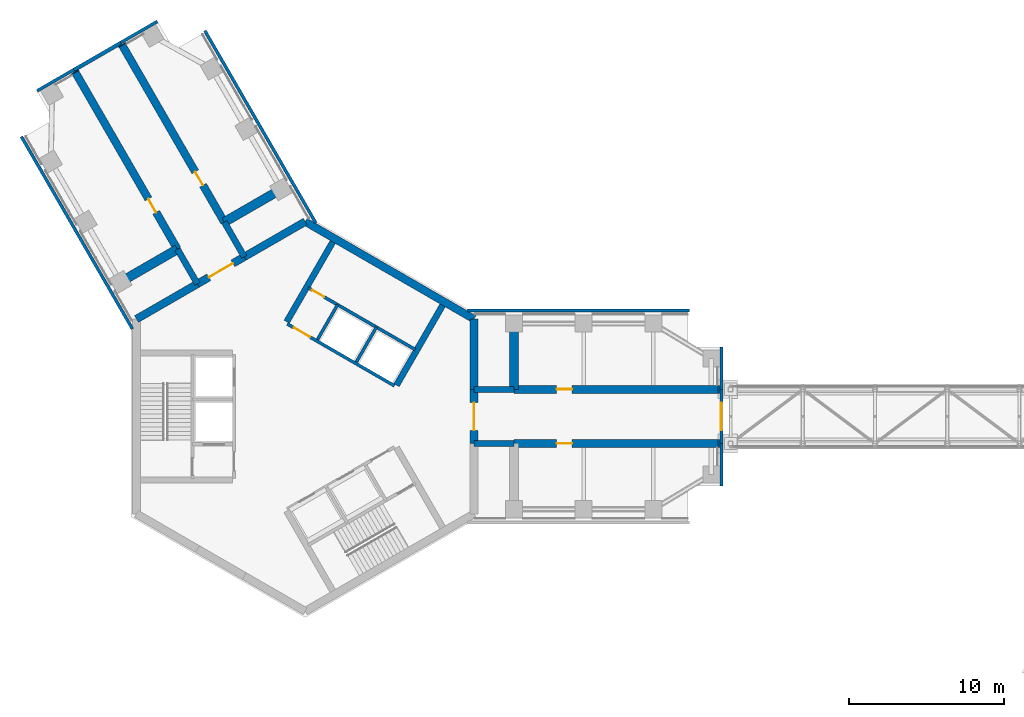
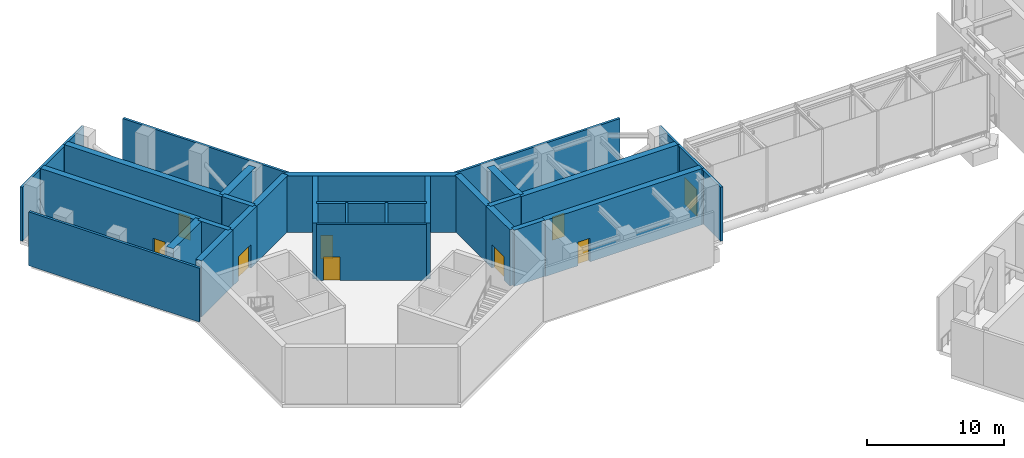
# One storey, part 9 of 15: 36 walls, 9 doors, 9 openings.
"""IFC4 building model written with IfcOpenShell, lengths in metres."""

from ifc_helpers import new_model, si_unit, direction, frame, frame_2d, origin, place, context, subcontext, project, spatial, rectangle, extrude, material, layer, layer_set, type_object, element, fill, save


model = new_model("IFC4")

# Units and contexts
model_context = context("Model", 3, precision=1e-05, world=origin(), true_north=direction((0.0, 1.0)))
body_context = subcontext(model_context, "Body", "Model", "MODEL_VIEW")
ifc_project = project(units=[si_unit("LENGTHUNIT", "METRE"), si_unit("AREAUNIT", "SQUARE_METRE"), si_unit("VOLUMEUNIT", "CUBIC_METRE"), si_unit("PLANEANGLEUNIT", "RADIAN"), si_unit("MASSUNIT", "GRAM", prefix="KILO")], contexts=[model_context])

# Site, building, storey
site_placement = place(None, origin())
site = spatial("IfcSite", under=ifc_project, at=site_placement, CompositionType="ELEMENT")
building_placement = place(site_placement, origin())
building = spatial("IfcBuilding", under=site, at=building_placement, Name="Upepo Twin Towers", CompositionType="ELEMENT")
storey_placement = place(building_placement, frame((0.0, 0.0, 238.5)))
storey = spatial("IfcBuildingStorey", under=building, at=storey_placement, Name="L58", CompositionType="ELEMENT", Elevation=238.5)

# Walls
ifc_material_1 = material(Name="Precast concrete breeze blocks", Category="concrete")
ifc_layer_1 = layer(ifc_material_1, 0.199951171875)
ifc_layer_set_1 = layer_set([ifc_layer_1], Name="Breeze-block screen wall 200")
wall_type_1 = type_object("IfcWallType", Name="Breeze-block screen wall 200", PredefinedType="USERDEFINED", material=ifc_layer_set_1)
wall_1_placement = place(storey_placement, frame((10.487060546875, 6.85009765625, 0.0), z_axis=(0.0, 0.0, 1.0), x_axis=(1.0, 0.0, 0.0)))
element("IfcWall", 1, at=wall_1_placement, inside=storey, type_object=wall_type_1, Name="T1 L58 wing A screen L", ObjectType="SCREEN", PredefinedType="USERDEFINED", context=body_context, shape_type="SweptSolid", body=[
    extrude(rectangle(XDim=14.363037109375, YDim=0.199951171875, at=frame_2d((7.181640625, 0.0))), origin(), (0.0, 0.0, 1.0), 4.800048828125),
])
for number, where, z_axis, x_axis, name in (
    (2, (26.89990234375, -4.5, 0.0), (0.0, 0.0, 1.0), (0.0, 1.0, 0.0), "T1 L58 wing A nose screen 0"),
    (3, (26.89990234375, 1.75, 0.0), (0.0, 0.0, 1.0), (0.0, 1.0, 0.0), "T1 L58 wing A nose screen 2"),
):
    element("IfcWall", number, at=place(storey_placement, frame(where, z_axis=z_axis, x_axis=x_axis)), inside=storey, type_object=wall_type_1, Name=name, ObjectType="SCREEN", PredefinedType="USERDEFINED", context=body_context, shape_type="SweptSolid", body=[
        extrude(rectangle(XDim=2.75, YDim=0.199951171875, at=frame_2d((1.375, 0.0))), origin(), (0.0, 0.0, 1.0), 4.800048828125),
    ])
wall_2_placement = place(storey_placement, frame((-11.17578125, 5.6572265625, 0.0), z_axis=(0.0, 0.0, 1.0), x_axis=(-0.500002020472, 0.866024237261, 0.0)))
element("IfcWall", 4, at=wall_2_placement, inside=storey, type_object=wall_type_1, Name="T1 L58 wing B screen L", ObjectType="SCREEN", PredefinedType="USERDEFINED", context=body_context, shape_type="SweptSolid", body=[
    extrude(rectangle(XDim=14.36279296875, YDim=0.199951171875, at=frame_2d((7.181396484375, 0.0))), origin(), (0.0, 0.0, 1.0), 4.800048828125),
])
wall_3_placement = place(storey_placement, frame((-6.49267578125, 24.94580078125, 0.0), z_axis=(0.0, 0.0, 1.0), x_axis=(0.499994660107, -0.866028486751, 0.0)))
element("IfcWall", 5, at=wall_3_placement, inside=storey, type_object=wall_type_1, Name="T1 L58 wing B screen R", ObjectType="SCREEN", PredefinedType="USERDEFINED", context=body_context, shape_type="SweptSolid", body=[
    extrude(rectangle(XDim=14.363037109375, YDim=0.199951171875, at=frame_2d((7.181640625, 0.0))), origin(), (0.0, 0.0, 1.0), 4.800048828125),
])
for number, where, z_axis, x_axis, name in (
    (6, (-9.552978515625, 25.546142578125, 0.0), (0.0, 0.0, 1.0), (-0.866027397988, -0.499996545922, 0.0), "T1 L58 wing B nose screen 0"),
    (7, (-14.965576171875, 22.421142578125, 0.0), (0.0, 0.0, 1.0), (-0.866027397988, -0.499996545922, 0.0), "T1 L58 wing B nose screen 2"),
):
    element("IfcWall", number, at=place(storey_placement, frame(where, z_axis=z_axis, x_axis=x_axis)), inside=storey, type_object=wall_type_1, Name=name, ObjectType="SCREEN", PredefinedType="USERDEFINED", context=body_context, shape_type="SweptSolid", body=[
        extrude(rectangle(XDim=2.75, YDim=0.199951171875, at=frame_2d((1.375, 0.0))), origin(), (0.0, 0.0, 1.0), 4.800048828125),
    ])
ifc_material_2 = material(Name="Dense concrete blockwork", Category="masonry")
ifc_layer_2 = layer(ifc_material_2, 0.5)
ifc_layer_set_2 = layer_set([ifc_layer_2], Name="Buttress closer 500, blockwork with fire-stopping to the curtain wall")
wall_type_2 = type_object("IfcWallType", Name="Buttress closer 500, blockwork with fire-stopping to the curtain wall", PredefinedType="PARTITIONING", material=ifc_layer_set_2)
for number, where, z_axis, x_axis, name in (
    (8, (26.699951171875, 1.75, 0.0), (0.0, 0.0, 1.0), (1.0, 0.0, 0.0), "T1 L58 wing A buttress closer L"),
    (9, (26.699951171875, -1.75, 0.0), (0.0, 0.0, 1.0), (1.0, 0.0, 0.0), "T1 L58 wing A buttress closer R"),
):
    element("IfcWall", number, at=place(storey_placement, frame(where, z_axis=z_axis, x_axis=x_axis)), inside=storey, type_object=wall_type_2, Name=name, PredefinedType="PARTITIONING", context=body_context, shape_type="SweptSolid", body=[
        extrude(rectangle(XDim=0.10009765625, YDim=0.5, at=frame_2d((0.050048828125, 0.0))), origin(), (0.0, 0.0, 1.0), 4.800048828125),
    ])
wall_4_placement = place(storey_placement, frame((-14.865478515625, 22.247802734375, 0.0), z_axis=(0.0, 0.0, 1.0), x_axis=(-0.500844580232, 0.86553723574, 0.0)))
element("IfcWall", 10, at=wall_4_placement, inside=storey, type_object=wall_type_2, Name="T1 L58 wing B buttress closer L", PredefinedType="PARTITIONING", context=body_context, shape_type="SweptSolid", body=[
    extrude(rectangle(XDim=0.05029296875, YDim=0.5, at=frame_2d((0.025146484375, 0.0))), origin(), (0.0, 0.0, 1.0), 4.800048828125),
])
wall_5_placement = place(storey_placement, frame((-11.83447265625, 23.997802734375, 0.0), z_axis=(0.0, 0.0, 1.0), x_axis=(-0.497188445666, 0.867642581652, 0.0)))
element("IfcWall", 11, at=wall_5_placement, inside=storey, type_object=wall_type_2, Name="T1 L58 wing B buttress closer R", PredefinedType="PARTITIONING", context=body_context, shape_type="SweptSolid", body=[
    extrude(rectangle(XDim=0.050048828125, YDim=0.5, at=frame_2d((0.02490234375, 0.0))), origin(), (0.0, 0.0, 1.0), 4.800048828125),
])
ifc_material_3 = material(Name="Concrete C60/75", Category="concrete")
ifc_layer_3 = layer(ifc_material_3, 0.39990234375)
ifc_layer_set_3 = layer_set([ifc_layer_3], Name="Concrete C60/75")
wall_type_3 = type_object("IfcWallType", Name="Buttress wall 400 RC", PredefinedType="SHEAR", material=ifc_layer_set_3)
for number, where, z_axis, x_axis, name in (
    (12, (10.908447265625, 1.75, 0.0), (0.0, 0.0, 1.0), (1.0, 0.0, 0.0), "T1 wing A buttress wall L"),
    (13, (10.908447265625, -1.75, 0.0), (0.0, 0.0, 1.0), (1.0, 0.0, 0.0), "T1 wing A buttress wall R"),
):
    element("IfcWall", number, at=place(storey_placement, frame(where, z_axis=z_axis, x_axis=x_axis)), inside=storey, type_object=wall_type_3, Name=name, PredefinedType="SHEAR", context=body_context, shape_type="SweptSolid", body=[
        extrude(rectangle(XDim=2.591552734375, YDim=0.39990234375, at=frame_2d((1.2958984375, 0.0))), origin(), (0.0, 0.0, 1.0), 5.0),
    ])
for number, where, z_axis, x_axis, name in (
    (14, (-6.9697265625, 8.57177734375, 0.0), (0.0, 0.0, 1.0), (-0.499988811324, 0.866031863473, 0.0), "T1 wing B buttress wall L"),
    (15, (-3.938720703125, 10.32177734375, 0.0), (0.0, 0.0, 1.0), (-0.499918158782, 0.866072649678, 0.0), "T1 wing B buttress wall R"),
):
    element("IfcWall", number, at=place(storey_placement, frame(where, z_axis=z_axis, x_axis=x_axis)), inside=storey, type_object=wall_type_3, Name=name, PredefinedType="SHEAR", context=body_context, shape_type="SweptSolid", body=[
        extrude(rectangle(XDim=2.591796875, YDim=0.39990234375, at=frame_2d((1.2958984375, 0.0))), origin(), (0.0, 0.0, 1.0), 5.0),
    ])

# Wall, opening, door
ifc_material_4 = material(Name="Concrete C60/75", Category="concrete")
ifc_layer_4 = layer(ifc_material_4, 0.5)
ifc_layer_set_4 = layer_set([ifc_layer_4], Name="Concrete C60/75")
wall_type_4 = type_object("IfcWallType", Name="Buttress wall 500 RC", PredefinedType="SHEAR", material=ifc_layer_set_4)
wall_6_placement = place(storey_placement, frame((13.5, 1.75, 0.0), z_axis=(0.0, 0.0, 1.0), x_axis=(1.0, 0.0, 0.0)))
wall_6 = element("IfcWall", 16, at=wall_6_placement, inside=storey, type_object=wall_type_4, Name="T1 wing A buttress wall L part 2", PredefinedType="SHEAR", context=body_context, shape_type="SweptSolid", body=[
    extrude(rectangle(XDim=13.199951171875, YDim=0.5, at=frame_2d((6.60009765625, 0.0))), origin(), (0.0, 0.0, 1.0), 5.0),
])
opening_1_placement = place(wall_6_placement, frame((2.75, 0.0, 0.0)))
opening_1 = element("IfcOpeningElement", 17, at=opening_1_placement, cuts=wall_6, Name="Opening D1", PredefinedType="OPENING", context=body_context, shape_type="SweptSolid", body=[
    extrude(rectangle(XDim=1.0, YDim=2.10009765625, at=frame_2d((0.5, 1.050048828125))), frame((0.0, 0.260009765625, 0.0), z_axis=(0.0, -1.0, 0.0), x_axis=(1.0, 0.0, 0.0)), (0.0, 0.0, 1.0), 0.52001953125),
])
ifc_material_5 = material(Name="Timber doorset", Category="wood")
door_type_1 = type_object("IfcDoorType", Name="Room door 1000 FD30", OperationType="SINGLE_SWING_LEFT", PredefinedType="DOOR", material=ifc_material_5)
door_1_placement = place(opening_1_placement, origin())
door_1 = element("IfcDoor", 18, at=door_1_placement, inside=storey, type_object=door_type_1, Name="T1 L58 refuge area door", OperationType="SINGLE_SWING_LEFT", OverallHeight=2.10009765625, OverallWidth=1.0, PredefinedType="DOOR", context=body_context, shape_type="SweptSolid", body=[
    extrude(rectangle(XDim=1.0, YDim=2.10009765625, at=frame_2d((0.5, 1.050048828125))), frame((0.0, 0.02490234375, 0.0), z_axis=(0.0, -1.0, 0.0), x_axis=(1.0, 0.0, 0.0)), (0.0, 0.0, 1.0), 0.050048828125),
])
fill(opening_1, door_1)

wall_7_placement = place(storey_placement, frame((13.5, -1.75, 0.0), z_axis=(0.0, 0.0, 1.0), x_axis=(1.0, 0.0, 0.0)))
wall_7 = element("IfcWall", 19, at=wall_7_placement, inside=storey, type_object=wall_type_4, Name="T1 wing A buttress wall R part 2", PredefinedType="SHEAR", context=body_context, shape_type="SweptSolid", body=[
    extrude(rectangle(XDim=13.199951171875, YDim=0.5, at=frame_2d((6.60009765625, 0.0))), origin(), (0.0, 0.0, 1.0), 5.0),
])
opening_2_placement = place(wall_7_placement, frame((2.75, 0.0, 0.0)))
opening_2 = element("IfcOpeningElement", 20, at=opening_2_placement, cuts=wall_7, Name="Opening D1", PredefinedType="OPENING", context=body_context, shape_type="SweptSolid", body=[
    extrude(rectangle(XDim=1.0, YDim=2.10009765625, at=frame_2d((0.5, 1.050048828125))), frame((0.0, 0.260009765625, 0.0), z_axis=(0.0, -1.0, 0.0), x_axis=(1.0, 0.0, 0.0)), (0.0, 0.0, 1.0), 0.52001953125),
])
door_2_placement = place(opening_2_placement, origin())
door_2 = element("IfcDoor", 21, at=door_2_placement, inside=storey, type_object=door_type_1, Name="T1 L58 air-handling plant room door", OperationType="SINGLE_SWING_LEFT", OverallHeight=2.10009765625, OverallWidth=1.0, PredefinedType="DOOR", context=body_context, shape_type="SweptSolid", body=[
    extrude(rectangle(XDim=1.0, YDim=2.10009765625, at=frame_2d((0.5, 1.050048828125))), frame((0.0, 0.02490234375, 0.0), z_axis=(0.0, -1.0, 0.0), x_axis=(1.0, 0.0, 0.0)), (0.0, 0.0, 1.0), 0.050048828125),
])
fill(opening_2, door_2)

wall_8_placement = place(storey_placement, frame((-8.265625, 10.81640625, 0.0), z_axis=(0.0, 0.0, 1.0), x_axis=(-0.499996231654, 0.866027579429, 0.0)))
wall_8 = element("IfcWall", 22, at=wall_8_placement, inside=storey, type_object=wall_type_4, Name="T1 wing B buttress wall L part 2", PredefinedType="SHEAR", context=body_context, shape_type="SweptSolid", body=[
    extrude(rectangle(XDim=13.19970703125, YDim=0.5, at=frame_2d((6.599853515625, 0.0))), origin(), (0.0, 0.0, 1.0), 5.0),
])
opening_3_placement = place(wall_8_placement, frame((2.75, 0.0, 0.0)))
opening_3 = element("IfcOpeningElement", 23, at=opening_3_placement, cuts=wall_8, Name="Opening D1", PredefinedType="OPENING", context=body_context, shape_type="SweptSolid", body=[
    extrude(rectangle(XDim=1.0, YDim=2.10009765625, at=frame_2d((0.5, 1.050048828125))), frame((0.0, 0.260009765625, 0.0), z_axis=(0.0, -1.0, 0.0), x_axis=(1.0, 0.0, 0.0)), (0.0, 0.0, 1.0), 0.52001953125),
])
door_3_placement = place(opening_3_placement, origin())
door_3 = element("IfcDoor", 24, at=door_3_placement, inside=storey, type_object=door_type_1, Name="T1 L58 refuge area door", OperationType="SINGLE_SWING_LEFT", OverallHeight=2.10009765625, OverallWidth=1.0, PredefinedType="DOOR", context=body_context, shape_type="SweptSolid", body=[
    extrude(rectangle(XDim=1.0, YDim=2.10009765625, at=frame_2d((0.5, 1.050048828125))), frame((0.0, 0.02490234375, 0.0), z_axis=(0.0, -1.0, 0.0), x_axis=(1.0, 0.0, 0.0)), (0.0, 0.0, 1.0), 0.050048828125),
])
fill(opening_3, door_3)

wall_9_placement = place(storey_placement, frame((-5.234375, 12.56640625, 0.0), z_axis=(0.0, 0.0, 1.0), x_axis=(-0.500010103361, 0.866019570528, 0.0)))
wall_9 = element("IfcWall", 25, at=wall_9_placement, inside=storey, type_object=wall_type_4, Name="T1 wing B buttress wall R part 2", PredefinedType="SHEAR", context=body_context, shape_type="SweptSolid", body=[
    extrude(rectangle(XDim=13.199951171875, YDim=0.5, at=frame_2d((6.60009765625, 0.0))), origin(), (0.0, 0.0, 1.0), 5.0),
])
opening_4_placement = place(wall_9_placement, frame((2.75, 0.0, 0.0)))
opening_4 = element("IfcOpeningElement", 26, at=opening_4_placement, cuts=wall_9, Name="Opening D1", PredefinedType="OPENING", context=body_context, shape_type="SweptSolid", body=[
    extrude(rectangle(XDim=1.0, YDim=2.10009765625, at=frame_2d((0.5, 1.050048828125))), frame((0.0, 0.260009765625, 0.0), z_axis=(0.0, -1.0, 0.0), x_axis=(1.0, 0.0, 0.0)), (0.0, 0.0, 1.0), 0.52001953125),
])
door_4_placement = place(opening_4_placement, origin())
door_4 = element("IfcDoor", 27, at=door_4_placement, inside=storey, type_object=door_type_1, Name="T1 L58 booster pump plant room door", OperationType="SINGLE_SWING_LEFT", OverallHeight=2.10009765625, OverallWidth=1.0, PredefinedType="DOOR", context=body_context, shape_type="SweptSolid", body=[
    extrude(rectangle(XDim=1.0, YDim=2.10009765625, at=frame_2d((0.5, 1.050048828125))), frame((0.0, 0.02490234375, 0.0), z_axis=(0.0, -1.0, 0.0), x_axis=(1.0, 0.0, 0.0)), (0.0, 0.0, 1.0), 0.050048828125),
])
fill(opening_4, door_4)

ifc_material_6 = material(Name="Concrete C60/75", Category="concrete")
ifc_layer_5 = layer(ifc_material_6, 0.5)
ifc_layer_set_5 = layer_set([ifc_layer_5], Name="Concrete C60/75")
wall_type_5 = type_object("IfcWallType", Name="Core wall 500 RC", PredefinedType="SHEAR", material=ifc_layer_set_5)
wall_10_placement = place(storey_placement, frame((10.908447265625, -1.75, 0.0), z_axis=(0.0, 0.0, 1.0), x_axis=(0.0, 1.0, 0.0)))
wall_10 = element("IfcWall", 28, at=wall_10_placement, inside=storey, type_object=wall_type_5, Name="T1 core wall 000", PredefinedType="SHEAR", context=body_context, shape_type="SweptSolid", body=[
    extrude(rectangle(XDim=3.5, YDim=0.5, at=frame_2d((1.75, 0.0))), origin(), (0.0, 0.0, 1.0), 5.0),
])
opening_5_placement = place(wall_10_placement, frame((0.85009765625, 0.0, 0.0)))
opening_5 = element("IfcOpeningElement", 29, at=opening_5_placement, cuts=wall_10, Name="Opening D2", PredefinedType="OPENING", context=body_context, shape_type="SweptSolid", body=[
    extrude(rectangle(XDim=1.800048828125, YDim=2.10009765625, at=frame_2d((0.89990234375, 1.050048828125))), frame((0.0, 0.260009765625, 0.0), z_axis=(0.0, -1.0, 0.0), x_axis=(1.0, 0.0, 0.0)), (0.0, 0.0, 1.0), 0.52001953125),
])
ifc_material_7 = material(Name="Timber doorset", Category="wood")
door_type_2 = type_object("IfcDoorType", Name="Corridor double door 1800 FD60", OperationType="DOUBLE_DOOR_DOUBLE_SWING", PredefinedType="DOOR", material=ifc_material_7)
door_5_placement = place(opening_5_placement, origin())
door_5 = element("IfcDoor", 30, at=door_5_placement, inside=storey, type_object=door_type_2, Name="T1 L58 wing A corridor door", OperationType="DOUBLE_DOOR_DOUBLE_SWING", OverallHeight=2.10009765625, OverallWidth=1.800048828125, PredefinedType="DOOR", context=body_context, shape_type="SweptSolid", body=[
    extrude(rectangle(XDim=1.800048828125, YDim=2.10009765625, at=frame_2d((0.89990234375, 1.050048828125))), frame((0.0, 0.02490234375, 0.0), z_axis=(0.0, -1.0, 0.0), x_axis=(1.0, 0.0, 0.0)), (0.0, 0.0, 1.0), 0.050048828125),
])
fill(opening_5, door_5)

# Walls
wall_11_placement = place(storey_placement, frame((10.908447265625, 1.75, 0.0), z_axis=(0.0, 0.0, 1.0), x_axis=(0.0, 1.0, 0.0)))
element("IfcWall", 31, at=wall_11_placement, inside=storey, type_object=wall_type_5, Name="T1 core wall 000 L", PredefinedType="SHEAR", context=body_context, shape_type="SweptSolid", body=[
    extrude(rectangle(XDim=4.5478515625, YDim=0.5, at=frame_2d((2.27392578125, 0.0))), origin(), (0.0, 0.0, 1.0), 5.0),
])
wall_12_placement = place(storey_placement, frame((10.908447265625, 6.2978515625, 0.0), z_axis=(0.0, 0.0, 1.0), x_axis=(-0.866021940709, 0.500005998175, 0.0)))
element("IfcWall", 32, at=wall_12_placement, inside=storey, type_object=wall_type_5, Name="T1 core wall 060", PredefinedType="SHEAR", context=body_context, shape_type="SweptSolid", body=[
    extrude(rectangle(XDim=12.595947265625, YDim=0.5, at=frame_2d((6.2978515625, 0.0))), origin(), (0.0, 0.0, 1.0), 5.0),
])
wall_13_placement = place(storey_placement, frame((0.0, 12.595947265625, 0.0), z_axis=(0.0, 0.0, 1.0), x_axis=(-0.866011268655, -0.500024481964, 0.0)))
element("IfcWall", 33, at=wall_13_placement, inside=storey, type_object=wall_type_5, Name="T1 core wall 120 R", PredefinedType="SHEAR", context=body_context, shape_type="SweptSolid", body=[
    extrude(rectangle(XDim=4.548095703125, YDim=0.5, at=frame_2d((2.27392578125, 0.0))), origin(), (0.0, 0.0, 1.0), 5.0),
])

# Wall, opening, door
wall_14_placement = place(storey_placement, frame((-3.938720703125, 10.32177734375, 0.0), z_axis=(0.0, 0.0, 1.0), x_axis=(-0.866019471182, -0.500010275428, 0.0)))
wall_14 = element("IfcWall", 34, at=wall_14_placement, inside=storey, type_object=wall_type_5, Name="T1 core wall 120", PredefinedType="SHEAR", context=body_context, shape_type="SweptSolid", body=[
    extrude(rectangle(XDim=3.5, YDim=0.5, at=frame_2d((1.75, 0.0))), origin(), (0.0, 0.0, 1.0), 5.0),
])
opening_6_placement = place(wall_14_placement, frame((0.85009765625, 0.0, 0.0)))
opening_6 = element("IfcOpeningElement", 35, at=opening_6_placement, cuts=wall_14, Name="Opening D2", PredefinedType="OPENING", context=body_context, shape_type="SweptSolid", body=[
    extrude(rectangle(XDim=1.800048828125, YDim=2.10009765625, at=frame_2d((0.89990234375, 1.050048828125))), frame((0.0, 0.260009765625, 0.0), z_axis=(0.0, -1.0, 0.0), x_axis=(1.0, 0.0, 0.0)), (0.0, 0.0, 1.0), 0.52001953125),
])
door_6_placement = place(opening_6_placement, origin())
door_6 = element("IfcDoor", 36, at=door_6_placement, inside=storey, type_object=door_type_2, Name="T1 L58 wing B corridor door", OperationType="DOUBLE_DOOR_DOUBLE_SWING", OverallHeight=2.10009765625, OverallWidth=1.800048828125, PredefinedType="DOOR", context=body_context, shape_type="SweptSolid", body=[
    extrude(rectangle(XDim=1.800048828125, YDim=2.10009765625, at=frame_2d((0.89990234375, 1.050048828125))), frame((0.0, 0.02490234375, 0.0), z_axis=(0.0, -1.0, 0.0), x_axis=(1.0, 0.0, 0.0)), (0.0, 0.0, 1.0), 0.050048828125),
])
fill(opening_6, door_6)

# Walls
wall_15_placement = place(storey_placement, frame((-6.9697265625, 8.57177734375, 0.0), z_axis=(0.0, 0.0, 1.0), x_axis=(-0.866034513004, -0.499984222037, 0.0)))
element("IfcWall", 37, at=wall_15_placement, inside=storey, type_object=wall_type_5, Name="T1 core wall 120 L", PredefinedType="SHEAR", context=body_context, shape_type="SweptSolid", body=[
    extrude(rectangle(XDim=4.548095703125, YDim=0.5, at=frame_2d((2.27392578125, 0.0))), origin(), (0.0, 0.0, 1.0), 5.0),
])
ifc_material_8 = material(Name="Blockwork with anodised aluminium cladding", Category="masonry")
ifc_layer_6 = layer(ifc_material_8, 0.25)
ifc_layer_set_6 = layer_set([ifc_layer_6], Name="Notch cladding wall 250, pale metal")
wall_type_6 = type_object("IfcWallType", Name="Notch cladding wall 250, pale metal", PredefinedType="STANDARD", material=ifc_layer_set_6)
wall_16_placement = place(storey_placement, frame((-11.921875, 24.1494140625, 0.0), z_axis=(0.0, 0.0, 1.0), x_axis=(-0.866036909293, -0.499980071345, 0.0)))
element("IfcWall", 38, at=wall_16_placement, inside=storey, type_object=wall_type_6, Name="T1 L58 wing B nose wall", PredefinedType="STANDARD", context=body_context, shape_type="SweptSolid", body=[
    extrude(rectangle(XDim=3.500244140625, YDim=0.25, at=frame_2d((1.75, 0.0))), origin(), (0.0, 0.0, 1.0), 4.800048828125),
])
ifc_material_9 = material(Name="Concrete C60/75", Category="concrete")
ifc_layer_7 = layer(ifc_material_9, 0.60009765625)
ifc_layer_set_7 = layer_set([ifc_layer_7], Name="Concrete C60/75")
wall_type_7 = type_object("IfcWallType", Name="Outrigger wall 600 RC", PredefinedType="SHEAR", material=ifc_layer_set_7)
wall_17_placement = place(storey_placement, frame((13.5, 1.75, 0.0), z_axis=(0.0, 0.0, 1.0), x_axis=(0.0, 1.0, 0.0)))
element("IfcWall", 39, at=wall_17_placement, inside=storey, type_object=wall_type_7, Name="T1 outrigger wall AL", PredefinedType="SHEAR", context=body_context, shape_type="SweptSolid", body=[
    extrude(rectangle(XDim=4.25, YDim=0.60009765625, at=frame_2d((2.125, 0.0))), origin(), (0.0, 0.0, 1.0), 5.0),
])
for number, where, z_axis, x_axis, name in (
    (40, (-8.265625, 10.81640625, 0.0), (0.0, 0.0, 1.0), (-0.866014341725, -0.50001915956, 0.0), "T1 outrigger wall BL"),
    (41, (-5.234375, 12.56640625, 0.0), (0.0, 0.0, 1.0), (0.866014341725, 0.50001915956, 0.0), "T1 outrigger wall BR"),
):
    element("IfcWall", number, at=place(storey_placement, frame(where, z_axis=z_axis, x_axis=x_axis)), inside=storey, type_object=wall_type_7, Name=name, PredefinedType="SHEAR", context=body_context, shape_type="SweptSolid", body=[
        extrude(rectangle(XDim=4.249755859375, YDim=0.60009765625, at=frame_2d((2.125, 0.0))), origin(), (0.0, 0.0, 1.0), 5.0),
    ])

# Wall, opening, door
ifc_material_10 = material(Name="Concrete C40/50", Category="concrete")
ifc_layer_8 = layer(ifc_material_10, 0.25)
ifc_layer_set_8 = layer_set([ifc_layer_8], Name="Concrete C40/50")
wall_type_8 = type_object("IfcWallType", Name="Refuge fire wall 250 RC", PredefinedType="STANDARD", material=ifc_layer_set_8)
wall_18_placement = place(storey_placement, frame((26.89990234375, -1.75, 0.0), z_axis=(0.0, 0.0, 1.0), x_axis=(0.0, 1.0, 0.0)))
wall_18 = element("IfcWall", 42, at=wall_18_placement, inside=storey, type_object=wall_type_8, Name="T1 L58 wing A nose wall", PredefinedType="STANDARD", context=body_context, shape_type="SweptSolid", body=[
    extrude(rectangle(XDim=3.5, YDim=0.199951171875, at=frame_2d((1.75, 0.0))), origin(), (0.0, 0.0, 1.0), 4.800048828125),
])
opening_7_placement = place(wall_18_placement, frame((0.85009765625, 0.0, 0.0)))
opening_7 = element("IfcOpeningElement", 43, at=opening_7_placement, cuts=wall_18, Name="Opening D6", PredefinedType="OPENING", context=body_context, shape_type="SweptSolid", body=[
    extrude(rectangle(XDim=1.800048828125, YDim=2.39990234375, at=frame_2d((0.89990234375, 1.199951171875))), frame((0.0, 0.10986328125, 0.0), z_axis=(0.0, -1.0, 0.0), x_axis=(1.0, 0.0, 0.0)), (0.0, 0.0, 1.0), 0.219970703125),
])
ifc_material_11 = material(Name="Aluminium glazed doorset", Category="aluminium")
door_type_3 = type_object("IfcDoorType", Name="Bridge door 1800 FD60", OperationType="DOUBLE_DOOR_DOUBLE_SWING", PredefinedType="DOOR", material=ifc_material_11)
door_7_placement = place(opening_7_placement, origin())
door_7 = element("IfcDoor", 44, at=door_7_placement, inside=storey, type_object=door_type_3, Name="T1 L58 wing A bridge door", OperationType="DOUBLE_DOOR_DOUBLE_SWING", OverallHeight=2.39990234375, OverallWidth=1.800048828125, PredefinedType="DOOR", context=body_context, shape_type="SweptSolid", body=[
    extrude(rectangle(XDim=1.800048828125, YDim=2.39990234375, at=frame_2d((0.89990234375, 1.199951171875))), frame((0.0, 0.02490234375, 0.0), z_axis=(0.0, -1.0, 0.0), x_axis=(1.0, 0.0, 0.0)), (0.0, 0.0, 1.0), 0.050048828125),
])
fill(opening_7, door_7)

ifc_material_12 = material(Name="Concrete C40/50", Category="concrete")
ifc_layer_9 = layer(ifc_material_12, 0.199951171875)
ifc_layer_set_9 = layer_set([ifc_layer_9], Name="Concrete C40/50")
wall_type_9 = type_object("IfcWallType", Name="Shaft wall 200 RC", PredefinedType="SHEAR", material=ifc_layer_set_9)
wall_19_placement = place(storey_placement, frame((5.76416015625, 1.983642578125, 0.0), z_axis=(0.0, 0.0, 1.0), x_axis=(-0.866026010844, 0.49999894854, 0.0)))
wall_19 = element("IfcWall", 45, at=wall_19_placement, inside=storey, type_object=wall_type_9, Name="T1 core W60 front wall", PredefinedType="SHEAR", context=body_context, shape_type="SweptSolid", body=[
    extrude(rectangle(XDim=8.0, YDim=0.199951171875, at=frame_2d((4.0, 0.0))), origin(), (0.0, 0.0, 1.0), 5.0),
])
opening_8_placement = place(wall_19_placement, frame((6.300048828125, 0.0, 0.0)))
opening_8 = element("IfcOpeningElement", 46, at=opening_8_placement, cuts=wall_19, Name="Opening D4", PredefinedType="OPENING", context=body_context, shape_type="SweptSolid", body=[
    extrude(rectangle(XDim=1.199951171875, YDim=2.10009765625, at=frame_2d((0.60009765625, 1.050048828125))), frame((0.0, 0.10986328125, 0.0), z_axis=(0.0, -1.0, 0.0), x_axis=(1.0, 0.0, 0.0)), (0.0, 0.0, 1.0), 0.219970703125),
])
ifc_material_13 = material(Name="Timber doorset", Category="wood")
door_type_4 = type_object("IfcDoorType", Name="Lobby door 1200 FD60", OperationType="SINGLE_SWING_LEFT", PredefinedType="DOOR", material=ifc_material_13)
door_8_placement = place(opening_8_placement, origin())
door_8 = element("IfcDoor", 47, at=door_8_placement, inside=storey, type_object=door_type_4, Name="T1 L58 W60 lobby door", OperationType="SINGLE_SWING_RIGHT", OverallHeight=2.10009765625, OverallWidth=1.199951171875, PredefinedType="DOOR", context=body_context, shape_type="SweptSolid", body=[
    extrude(rectangle(XDim=1.199951171875, YDim=2.10009765625, at=frame_2d((0.60009765625, 1.050048828125))), frame((0.0, 0.02490234375, 0.0), z_axis=(0.0, -1.0, 0.0), x_axis=(1.0, 0.0, 0.0)), (0.0, 0.0, 1.0), 0.050048828125),
])
fill(opening_8, door_8)

# Walls
for number, where, z_axis, x_axis, name in (
    (48, (3.302734375, 3.520263671875, 0.0), (0.0, 0.0, 1.0), (0.499936506574, 0.866062058628, 0.0), "T1 core W60 shaft divider"),
    (49, (0.791259765625, 4.97021484375, 0.0), (0.0, 0.0, 1.0), (0.499936506574, 0.866062058628, 0.0), "T1 core W60 lobby wall"),
):
    element("IfcWall", number, at=place(storey_placement, frame(where, z_axis=z_axis, x_axis=x_axis)), inside=storey, type_object=wall_type_9, Name=name, PredefinedType="SHEAR", context=body_context, shape_type="SweptSolid", body=[
        extrude(rectangle(XDim=2.599853515625, YDim=0.199951171875, at=frame_2d((1.2998046875, 0.0))), origin(), (0.0, 0.0, 1.0), 5.0),
    ])

# Wall, opening, door
wall_20_placement = place(storey_placement, frame((7.114013671875, 4.322021484375, 0.0), z_axis=(0.0, 0.0, 1.0), x_axis=(-0.866026010844, 0.49999894854, 0.0)))
wall_20 = element("IfcWall", 50, at=wall_20_placement, inside=storey, type_object=wall_type_9, Name="T1 core W60 stair wall", PredefinedType="SHEAR", context=body_context, shape_type="SweptSolid", body=[
    extrude(rectangle(XDim=8.0, YDim=0.199951171875, at=frame_2d((4.0, 0.0))), origin(), (0.0, 0.0, 1.0), 5.0),
])
opening_9_placement = place(wall_20_placement, frame((6.800048828125, 0.0, 0.0)))
opening_9 = element("IfcOpeningElement", 51, at=opening_9_placement, cuts=wall_20, Name="Opening D9", PredefinedType="OPENING", context=body_context, shape_type="SweptSolid", body=[
    extrude(rectangle(XDim=0.89990234375, YDim=2.10009765625, at=frame_2d((0.449951171875, 1.050048828125))), frame((0.0, 0.10986328125, 0.0), z_axis=(0.0, -1.0, 0.0), x_axis=(1.0, 0.0, 0.0)), (0.0, 0.0, 1.0), 0.219970703125),
])
ifc_material_14 = material(Name="Timber doorset", Category="wood")
door_type_5 = type_object("IfcDoorType", Name="Riser door 900 FD60", OperationType="SINGLE_SWING_LEFT", PredefinedType="DOOR", material=ifc_material_14)
door_9_placement = place(opening_9_placement, origin())
door_9 = element("IfcDoor", 52, at=door_9_placement, inside=storey, type_object=door_type_5, Name="T1 L58 riser door", OperationType="SINGLE_SWING_RIGHT", OverallHeight=2.10009765625, OverallWidth=0.89990234375, PredefinedType="DOOR", context=body_context, shape_type="SweptSolid", body=[
    extrude(rectangle(XDim=0.89990234375, YDim=2.10009765625, at=frame_2d((0.449951171875, 1.050048828125))), frame((0.0, 0.02490234375, 0.0), z_axis=(0.0, -1.0, 0.0), x_axis=(1.0, 0.0, 0.0)), (0.0, 0.0, 1.0), 0.050048828125),
])
fill(opening_9, door_9)

# Walls
ifc_material_15 = material(Name="Concrete C40/50", Category="concrete")
ifc_layer_10 = layer(ifc_material_15, 0.39990234375)
ifc_layer_set_10 = layer_set([ifc_layer_10], Name="Concrete C40/50")
wall_type_10 = type_object("IfcWallType", Name="Shaft wall 400 RC", PredefinedType="SHEAR", material=ifc_layer_set_10)
wall_21_placement = place(storey_placement, frame((-1.20068359375, 6.120361328125, 0.0), z_axis=(0.0, 0.0, 1.0), x_axis=(0.500021575205, 0.866012946976, 0.0)))
element("IfcWall", 53, at=wall_21_placement, inside=storey, type_object=wall_type_10, Name="T1 core W60 side wall N", PredefinedType="SHEAR", context=body_context, shape_type="SweptSolid", body=[
    extrude(rectangle(XDim=5.958251953125, YDim=0.39990234375, at=frame_2d((2.97900390625, 0.0))), origin(), (0.0, 0.0, 1.0), 5.0),
])
wall_22_placement = place(storey_placement, frame((5.900634765625, 2.020263671875, 0.0), z_axis=(0.0, 0.0, 1.0), x_axis=(0.500003832394, 0.86602319114, 0.0)))
element("IfcWall", 54, at=wall_22_placement, inside=storey, type_object=wall_type_10, Name="T1 core W60 side wall S", PredefinedType="SHEAR", context=body_context, shape_type="SweptSolid", body=[
    extrude(rectangle(XDim=5.95849609375, YDim=0.39990234375, at=frame_2d((2.979248046875, 0.0))), origin(), (0.0, 0.0, 1.0), 5.0),
])

save(model, "model.ifc")
